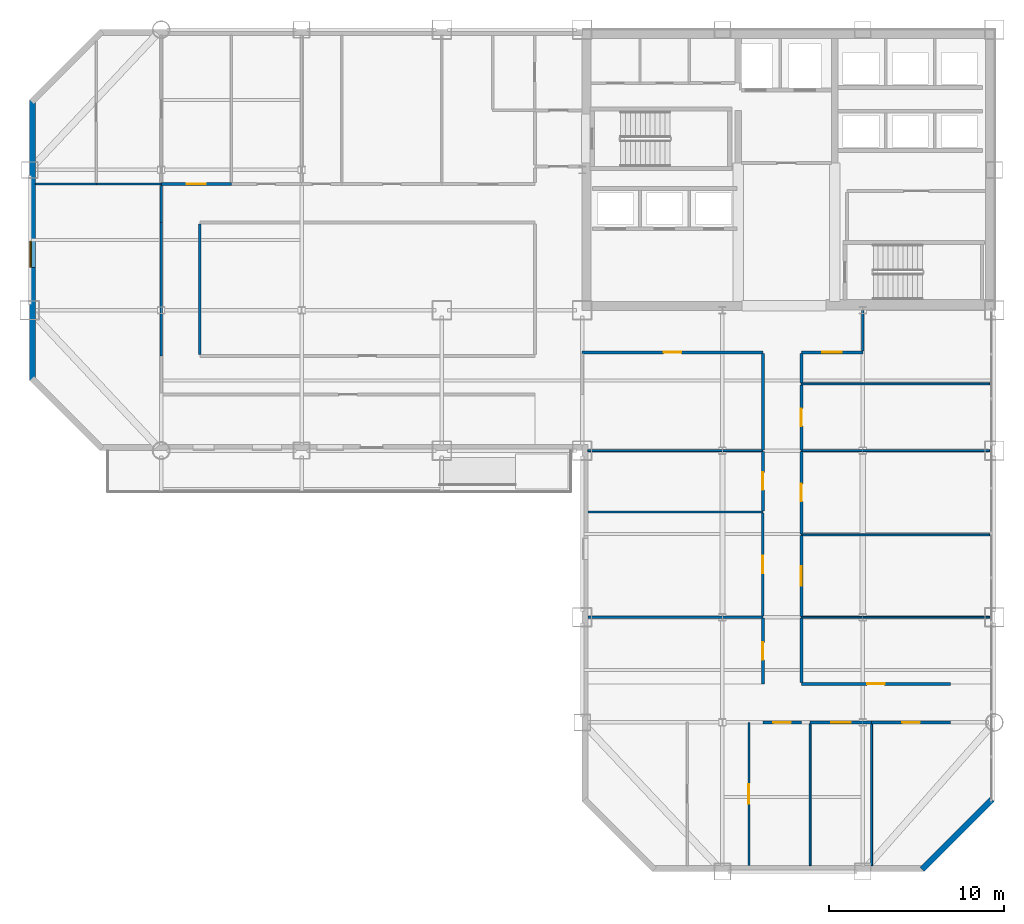
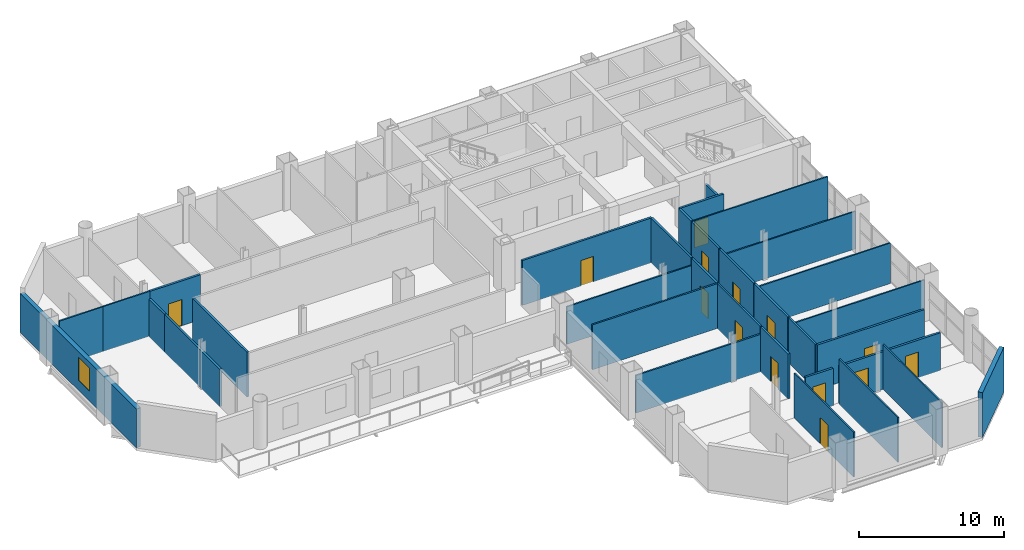
# One storey, part 12 of 16: 34 walls, 14 doors, 1 window, 15 openings.
"""IFC4 building model written with IfcOpenShell, lengths in metres."""

from ifc_helpers import new_model, si_unit, direction, frame, frame_2d, origin, place, context, subcontext, project, spatial, rectangle, extrude, material, layer, layer_set, type_object, element, fill, save


model = new_model("IFC4")

# Units and contexts
model_context = context("Model", 3, precision=1e-05, world=origin(), true_north=direction((0.0, 1.0)))
body_context = subcontext(model_context, "Body", "Model", "MODEL_VIEW")
ifc_project = project(units=[si_unit("LENGTHUNIT", "METRE"), si_unit("AREAUNIT", "SQUARE_METRE"), si_unit("VOLUMEUNIT", "CUBIC_METRE"), si_unit("PLANEANGLEUNIT", "RADIAN"), si_unit("MASSUNIT", "GRAM", prefix="KILO")], contexts=[model_context])

# Site, building, storey
site_placement = place(None, origin())
site = spatial("IfcSite", under=ifc_project, at=site_placement, CompositionType="ELEMENT")
building_placement = place(site_placement, origin())
building = spatial("IfcBuilding", under=site, at=building_placement, Name="Qianrong Seaharbour Tower", CompositionType="ELEMENT")
storey_placement = place(building_placement, frame((0.0, 0.0, 123.0)))
storey = spatial("IfcBuildingStorey", under=building, at=storey_placement, Name="L29", CompositionType="ELEMENT", Elevation=123.0)

# Wall
ifc_material_1 = material(Name="Fire-rated acoustic gypsum board partition")
ifc_layer_1 = layer(ifc_material_1, 0.1650390625)
ifc_layer_set_1 = layer_set([ifc_layer_1], Name="Fire-rated acoustic gypsum board partition")
wall_type_1 = type_object("IfcWallType", Name="WALL-CORR-PART-165", PredefinedType="PARTITIONING", material=ifc_layer_set_1)
wall_1_placement = place(storey_placement, frame((16.5, 41.0, 0.0), z_axis=(0.0, 0.0, 1.0), x_axis=(0.0, 1.0, 0.0)))
element("IfcWall", 1, at=wall_1_placement, inside=storey, type_object=wall_type_1, Name="L29 Interior Partition Wall 018", PredefinedType="PARTITIONING", context=body_context, shape_type="SweptSolid", body=[
    extrude(rectangle(XDim=2.12548828125, YDim=0.1650390625, at=frame_2d((1.062744140625, 0.0))), origin(), (0.0, 0.0, 1.0), 3.156982421875),
])

# Wall, opening, door
wall_2_placement = place(storey_placement, frame((16.5, 43.199951171875, 0.0), z_axis=(0.0, 0.0, 1.0), x_axis=(1.0, 0.0, 0.0)))
wall_2 = element("IfcWall", 2, at=wall_2_placement, inside=storey, type_object=wall_type_1, Name="L29 Interior Partition Wall 020", PredefinedType="PARTITIONING", context=body_context, shape_type="SweptSolid", body=[
    extrude(rectangle(XDim=4.0, YDim=0.1650390625, at=frame_2d((2.0, 0.0))), origin(), (0.0, 0.0, 1.0), 3.764892578125),
])
opening_1_placement = place(wall_2_placement, frame((1.449951171875, 0.0, 0.0)))
opening_1 = element("IfcOpeningElement", 3, at=opening_1_placement, cuts=wall_2, Name="Opening DM-01", PredefinedType="OPENING", context=body_context, shape_type="SweptSolid", body=[
    extrude(rectangle(XDim=1.10009765625, YDim=2.199951171875, at=frame_2d((0.550048828125, 1.10009765625))), frame((0.0, 0.092529296875, 0.0), z_axis=(0.0, -1.0, 0.0), x_axis=(1.0, 0.0, 0.0)), (0.0, 0.0, 1.0), 0.18505859375),
])
ifc_material_2 = material(Name="Acoustic timber and galvanized steel fire door assembly", Category="steel")
door_type_1 = type_object("IfcDoorType", Name="DOOR-MEET-1100x2200", OperationType="NOTDEFINED", PredefinedType="DOOR", material=ifc_material_2)
door_1_placement = place(opening_1_placement, origin())
door_1 = element("IfcDoor", 4, at=door_1_placement, inside=storey, type_object=door_type_1, Name="L29 Meeting Room 3 Door", OperationType="SINGLE_SWING_RIGHT", OverallHeight=2.199951171875, OverallWidth=1.10009765625, PredefinedType="DOOR", context=body_context, shape_type="SweptSolid", body=[
    extrude(rectangle(XDim=1.10009765625, YDim=2.199951171875, at=frame_2d((0.550048828125, 1.10009765625))), frame((0.0, 0.02490234375, 0.0), z_axis=(0.0, -1.0, 0.0), x_axis=(1.0, 0.0, 0.0)), (0.0, 0.0, 1.0), 0.050048828125),
])
fill(opening_1, door_1)

# Walls
wall_3_placement = place(storey_placement, frame((16.5, 33.39990234375, 0.0), z_axis=(0.0, 0.0, 1.0), x_axis=(0.0, 1.0, 0.0)))
element("IfcWall", 5, at=wall_3_placement, inside=storey, type_object=wall_type_1, Name="L29 Interior Partition Wall 025", PredefinedType="PARTITIONING", context=body_context, shape_type="SweptSolid", body=[
    extrude(rectangle(XDim=7.60009765625, YDim=0.1650390625, at=frame_2d((3.800048828125, 0.0))), origin(), (0.0, 0.0, 1.0), 3.156982421875),
])
wall_4_placement = place(storey_placement, frame((18.699951171875, 40.925537109375, 0.0), z_axis=(0.0, 0.0, 1.0), x_axis=(0.0, -1.0, 0.0)))
element("IfcWall", 6, at=wall_4_placement, inside=storey, type_object=wall_type_1, Name="L29 Interior Partition Wall 026", PredefinedType="PARTITIONING", context=body_context, shape_type="SweptSolid", body=[
    extrude(rectangle(XDim=7.450927734375, YDim=0.1650390625, at=frame_2d((3.7255859375, 0.0))), origin(), (0.0, 0.0, 1.0), 3.764892578125),
])
wall_5_placement = place(storey_placement, frame((56.5, 36.0, 0.0), z_axis=(0.0, 0.0, 1.0), x_axis=(0.0, -1.0, 0.0)))
element("IfcWall", 7, at=wall_5_placement, inside=storey, type_object=wall_type_1, Name="L29 Interior Partition Wall 030", PredefinedType="PARTITIONING", context=body_context, shape_type="SweptSolid", body=[
    extrude(rectangle(XDim=2.325439453125, YDim=0.1650390625, at=frame_2d((1.16259765625, 0.0))), origin(), (0.0, 0.0, 1.0), 3.156982421875),
])

# Wall, opening, door
wall_6_placement = place(storey_placement, frame((56.5, 33.60009765625, 0.0), z_axis=(0.0, 0.0, 1.0), x_axis=(-1.0, 0.0, 0.0)))
wall_6 = element("IfcWall", 8, at=wall_6_placement, inside=storey, type_object=wall_type_1, Name="L29 Interior Partition Wall 031", PredefinedType="PARTITIONING", context=body_context, shape_type="SweptSolid", body=[
    extrude(rectangle(XDim=3.5, YDim=0.1650390625, at=frame_2d((1.75, 0.0))), origin(), (0.0, 0.0, 1.0), 3.764892578125),
])
opening_2_placement = place(wall_6_placement, frame((1.199951171875, 0.0, 0.0)))
opening_2 = element("IfcOpeningElement", 9, at=opening_2_placement, cuts=wall_6, Name="Opening DM-01", PredefinedType="OPENING", context=body_context, shape_type="SweptSolid", body=[
    extrude(rectangle(XDim=1.10009765625, YDim=2.199951171875, at=frame_2d((0.550048828125, 1.10009765625))), frame((0.0, 0.092529296875, 0.0), z_axis=(0.0, -1.0, 0.0), x_axis=(1.0, 0.0, 0.0)), (0.0, 0.0, 1.0), 0.18505859375),
])
door_2_placement = place(opening_2_placement, origin())
door_2 = element("IfcDoor", 10, at=door_2_placement, inside=storey, type_object=door_type_1, Name="L29 Boardroom 5 Door", OperationType="SINGLE_SWING_LEFT", OverallHeight=2.199951171875, OverallWidth=1.10009765625, PredefinedType="DOOR", context=body_context, shape_type="SweptSolid", body=[
    extrude(rectangle(XDim=1.10009765625, YDim=2.199951171875, at=frame_2d((0.550048828125, 1.10009765625))), frame((0.0, 0.02490234375, 0.0), z_axis=(0.0, -1.0, 0.0), x_axis=(1.0, 0.0, 0.0)), (0.0, 0.0, 1.0), 0.050048828125),
])
fill(opening_2, door_2)

wall_7_placement = place(storey_placement, frame((50.800048828125, 33.60009765625, 0.0), z_axis=(0.0, 0.0, 1.0), x_axis=(-1.0, 0.0, 0.0)))
wall_7 = element("IfcWall", 11, at=wall_7_placement, inside=storey, type_object=wall_type_1, Name="L29 Interior Partition Wall 032", PredefinedType="PARTITIONING", context=body_context, shape_type="SweptSolid", body=[
    extrude(rectangle(XDim=10.300048828125, YDim=0.1650390625, at=frame_2d((5.14990234375, 0.0))), origin(), (0.0, 0.0, 1.0), 3.764892578125),
])
opening_3_placement = place(wall_7_placement, frame((4.64990234375, 0.0, 0.0)))
opening_3 = element("IfcOpeningElement", 12, at=opening_3_placement, cuts=wall_7, Name="Opening DO-01", PredefinedType="OPENING", context=body_context, shape_type="SweptSolid", body=[
    extrude(rectangle(XDim=1.0, YDim=2.14990234375, at=frame_2d((0.5, 1.074951171875))), frame((0.0, 0.092529296875, 0.0), z_axis=(0.0, -1.0, 0.0), x_axis=(1.0, 0.0, 0.0)), (0.0, 0.0, 1.0), 0.18505859375),
])
door_type_2 = type_object("IfcDoorType", Name="DOOR-OFFICE-1000x2150", OperationType="NOTDEFINED", PredefinedType="DOOR", material=ifc_material_2)
door_3_placement = place(opening_3_placement, origin())
door_3 = element("IfcDoor", 13, at=door_3_placement, inside=storey, type_object=door_type_2, Name="L29 Executive Office 4 Door", OperationType="SINGLE_SWING_LEFT", OverallHeight=2.14990234375, OverallWidth=1.0, PredefinedType="DOOR", context=body_context, shape_type="SweptSolid", body=[
    extrude(rectangle(XDim=1.0, YDim=2.14990234375, at=frame_2d((0.5, 1.074951171875))), frame((0.0, 0.02490234375, 0.0), z_axis=(0.0, -1.0, 0.0), x_axis=(1.0, 0.0, 0.0)), (0.0, 0.0, 1.0), 0.050048828125),
])
fill(opening_3, door_3)

# Wall
wall_8_placement = place(storey_placement, frame((53.0, 18.452880859375, 0.0), z_axis=(0.0, 0.0, 1.0), x_axis=(0.0, -1.0, 0.0)))
element("IfcWall", 14, at=wall_8_placement, inside=storey, type_object=wall_type_1, Name="L29 Interior Partition Wall 033", PredefinedType="PARTITIONING", context=body_context, shape_type="SweptSolid", body=[
    extrude(rectangle(XDim=3.678466796875, YDim=0.1650390625, at=frame_2d((1.83935546875, 0.0))), origin(), (0.0, 0.0, 1.0), 3.764892578125),
])

# Wall, opening, door
wall_9_placement = place(storey_placement, frame((53.0, 23.153076171875, 0.0), z_axis=(0.0, 0.0, 1.0), x_axis=(0.0, -1.0, 0.0)))
wall_9 = element("IfcWall", 15, at=wall_9_placement, inside=storey, type_object=wall_type_1, Name="L29 Interior Partition Wall 034", PredefinedType="PARTITIONING", context=body_context, shape_type="SweptSolid", body=[
    extrude(rectangle(XDim=4.60595703125, YDim=0.1650390625, at=frame_2d((2.302978515625, 0.0))), origin(), (0.0, 0.0, 1.0), 3.764892578125),
])
opening_4_placement = place(wall_9_placement, frame((1.7529296875, 0.0, 0.0)))
opening_4 = element("IfcOpeningElement", 16, at=opening_4_placement, cuts=wall_9, Name="Opening DM-01", PredefinedType="OPENING", context=body_context, shape_type="SweptSolid", body=[
    extrude(rectangle(XDim=1.10009765625, YDim=2.199951171875, at=frame_2d((0.550048828125, 1.10009765625))), frame((0.0, 0.092529296875, 0.0), z_axis=(0.0, -1.0, 0.0), x_axis=(1.0, 0.0, 0.0)), (0.0, 0.0, 1.0), 0.18505859375),
])
door_4_placement = place(opening_4_placement, origin())
door_4 = element("IfcDoor", 17, at=door_4_placement, inside=storey, type_object=door_type_1, Name="L29 Boardroom 2 Door", OperationType="SINGLE_SWING_RIGHT", OverallHeight=2.199951171875, OverallWidth=1.10009765625, PredefinedType="DOOR", context=body_context, shape_type="SweptSolid", body=[
    extrude(rectangle(XDim=1.10009765625, YDim=2.199951171875, at=frame_2d((0.550048828125, 1.10009765625))), frame((0.0, 0.02490234375, 0.0), z_axis=(0.0, -1.0, 0.0), x_axis=(1.0, 0.0, 0.0)), (0.0, 0.0, 1.0), 0.050048828125),
])
fill(opening_4, door_4)

wall_10_placement = place(storey_placement, frame((53.0, 27.952880859375, 0.0), z_axis=(0.0, 0.0, 1.0), x_axis=(0.0, -1.0, 0.0)))
wall_10 = element("IfcWall", 18, at=wall_10_placement, inside=storey, type_object=wall_type_1, Name="L29 Interior Partition Wall 035", PredefinedType="PARTITIONING", context=body_context, shape_type="SweptSolid", body=[
    extrude(rectangle(XDim=4.705810546875, YDim=0.1650390625, at=frame_2d((2.35302734375, 0.0))), origin(), (0.0, 0.0, 1.0), 3.764892578125),
])
opening_5_placement = place(wall_10_placement, frame((1.85302734375, 0.0, 0.0)))
opening_5 = element("IfcOpeningElement", 19, at=opening_5_placement, cuts=wall_10, Name="Opening DO-01", PredefinedType="OPENING", context=body_context, shape_type="SweptSolid", body=[
    extrude(rectangle(XDim=1.0, YDim=2.14990234375, at=frame_2d((0.5, 1.074951171875))), frame((0.0, 0.092529296875, 0.0), z_axis=(0.0, -1.0, 0.0), x_axis=(1.0, 0.0, 0.0)), (0.0, 0.0, 1.0), 0.18505859375),
])
door_5_placement = place(opening_5_placement, origin())
door_5 = element("IfcDoor", 20, at=door_5_placement, inside=storey, type_object=door_type_2, Name="L29 Focus Room 3 Door", OperationType="SINGLE_SWING_LEFT", OverallHeight=2.14990234375, OverallWidth=1.0, PredefinedType="DOOR", context=body_context, shape_type="SweptSolid", body=[
    extrude(rectangle(XDim=1.0, YDim=2.14990234375, at=frame_2d((0.5, 1.074951171875))), frame((0.0, 0.02490234375, 0.0), z_axis=(0.0, -1.0, 0.0), x_axis=(1.0, 0.0, 0.0)), (0.0, 0.0, 1.0), 0.050048828125),
])
fill(opening_5, door_5)

wall_11_placement = place(storey_placement, frame((53.0, 31.7529296875, 0.0), z_axis=(0.0, 0.0, 1.0), x_axis=(0.0, -1.0, 0.0)))
wall_11 = element("IfcWall", 21, at=wall_11_placement, inside=storey, type_object=wall_type_1, Name="L29 Interior Partition Wall 036", PredefinedType="PARTITIONING", context=body_context, shape_type="SweptSolid", body=[
    extrude(rectangle(XDim=3.705810546875, YDim=0.1650390625, at=frame_2d((1.85302734375, 0.0))), origin(), (0.0, 0.0, 1.0), 3.764892578125),
])
opening_6_placement = place(wall_11_placement, frame((1.35302734375, 0.0, 0.0)))
opening_6 = element("IfcOpeningElement", 22, at=opening_6_placement, cuts=wall_11, Name="Opening DO-01", PredefinedType="OPENING", context=body_context, shape_type="SweptSolid", body=[
    extrude(rectangle(XDim=1.0, YDim=2.14990234375, at=frame_2d((0.5, 1.074951171875))), frame((0.0, 0.092529296875, 0.0), z_axis=(0.0, -1.0, 0.0), x_axis=(1.0, 0.0, 0.0)), (0.0, 0.0, 1.0), 0.18505859375),
])
door_6_placement = place(opening_6_placement, origin())
door_6 = element("IfcDoor", 23, at=door_6_placement, inside=storey, type_object=door_type_2, Name="L29 Executive Office 4 Door", OperationType="SINGLE_SWING_RIGHT", OverallHeight=2.14990234375, OverallWidth=1.0, PredefinedType="DOOR", context=body_context, shape_type="SweptSolid", body=[
    extrude(rectangle(XDim=1.0, YDim=2.14990234375, at=frame_2d((0.5, 1.074951171875))), frame((0.0, 0.02490234375, 0.0), z_axis=(0.0, -1.0, 0.0), x_axis=(1.0, 0.0, 0.0)), (0.0, 0.0, 1.0), 0.050048828125),
])
fill(opening_6, door_6)

# Wall
wall_12_placement = place(storey_placement, frame((53.0, 33.525390625, 0.0), z_axis=(0.0, 0.0, 1.0), x_axis=(0.0, -1.0, 0.0)))
element("IfcWall", 24, at=wall_12_placement, inside=storey, type_object=wall_type_1, Name="L29 Interior Partition Wall 037", PredefinedType="PARTITIONING", context=body_context, shape_type="SweptSolid", body=[
    extrude(rectangle(XDim=1.678466796875, YDim=0.1650390625, at=frame_2d((0.83935546875, 0.0))), origin(), (0.0, 0.0, 1.0), 3.764892578125),
])

# Wall, opening, door
wall_13_placement = place(storey_placement, frame((50.800048828125, 14.699951171875, 0.0), z_axis=(0.0, 0.0, 1.0), x_axis=(0.0, 1.0, 0.0)))
wall_13 = element("IfcWall", 25, at=wall_13_placement, inside=storey, type_object=wall_type_1, Name="L29 Interior Partition Wall 038", PredefinedType="PARTITIONING", context=body_context, shape_type="SweptSolid", body=[
    extrude(rectangle(XDim=3.7431640625, YDim=0.1650390625, at=frame_2d((1.87158203125, 0.0))), origin(), (0.0, 0.0, 1.0), 3.764892578125),
])
opening_7_placement = place(wall_13_placement, frame((1.37158203125, 0.0, 0.0)))
opening_7 = element("IfcOpeningElement", 26, at=opening_7_placement, cuts=wall_13, Name="Opening DO-01", PredefinedType="OPENING", context=body_context, shape_type="SweptSolid", body=[
    extrude(rectangle(XDim=1.0, YDim=2.14990234375, at=frame_2d((0.5, 1.074951171875))), frame((0.0, 0.092529296875, 0.0), z_axis=(0.0, -1.0, 0.0), x_axis=(1.0, 0.0, 0.0)), (0.0, 0.0, 1.0), 0.18505859375),
])
door_7_placement = place(opening_7_placement, origin())
door_7 = element("IfcDoor", 27, at=door_7_placement, inside=storey, type_object=door_type_2, Name="L29 Executive Office 1 Door", OperationType="SINGLE_SWING_RIGHT", OverallHeight=2.14990234375, OverallWidth=1.0, PredefinedType="DOOR", context=body_context, shape_type="SweptSolid", body=[
    extrude(rectangle(XDim=1.0, YDim=2.14990234375, at=frame_2d((0.5, 1.074951171875))), frame((0.0, 0.02490234375, 0.0), z_axis=(0.0, -1.0, 0.0), x_axis=(1.0, 0.0, 0.0)), (0.0, 0.0, 1.0), 0.050048828125),
])
fill(opening_7, door_7)

wall_14_placement = place(storey_placement, frame((50.800048828125, 24.556884765625, 0.0), z_axis=(0.0, 0.0, 1.0), x_axis=(0.0, 1.0, 0.0)))
wall_14 = element("IfcWall", 28, at=wall_14_placement, inside=storey, type_object=wall_type_1, Name="L29 Interior Partition Wall 040", PredefinedType="PARTITIONING", context=body_context, shape_type="SweptSolid", body=[
    extrude(rectangle(XDim=3.39599609375, YDim=0.1650390625, at=frame_2d((1.697998046875, 0.0))), origin(), (0.0, 0.0, 1.0), 3.764892578125),
])
opening_8_placement = place(wall_14_placement, frame((1.197998046875, 0.0, 0.0)))
opening_8 = element("IfcOpeningElement", 29, at=opening_8_placement, cuts=wall_14, Name="Opening DO-01", PredefinedType="OPENING", context=body_context, shape_type="SweptSolid", body=[
    extrude(rectangle(XDim=1.0, YDim=2.14990234375, at=frame_2d((0.5, 1.074951171875))), frame((0.0, 0.092529296875, 0.0), z_axis=(0.0, -1.0, 0.0), x_axis=(1.0, 0.0, 0.0)), (0.0, 0.0, 1.0), 0.18505859375),
])
door_8_placement = place(opening_8_placement, origin())
door_8 = element("IfcDoor", 30, at=door_8_placement, inside=storey, type_object=door_type_2, Name="L29 Focus Room 3 Door", OperationType="SINGLE_SWING_RIGHT", OverallHeight=2.14990234375, OverallWidth=1.0, PredefinedType="DOOR", context=body_context, shape_type="SweptSolid", body=[
    extrude(rectangle(XDim=1.0, YDim=2.14990234375, at=frame_2d((0.5, 1.074951171875))), frame((0.0, 0.02490234375, 0.0), z_axis=(0.0, -1.0, 0.0), x_axis=(1.0, 0.0, 0.0)), (0.0, 0.0, 1.0), 0.050048828125),
])
fill(opening_8, door_8)

# Wall
wall_15_placement = place(storey_placement, frame((50.800048828125, 28.047119140625, 0.0), z_axis=(0.0, 0.0, 1.0), x_axis=(0.0, 1.0, 0.0)))
element("IfcWall", 31, at=wall_15_placement, inside=storey, type_object=wall_type_1, Name="L29 Interior Partition Wall 041", PredefinedType="PARTITIONING", context=body_context, shape_type="SweptSolid", body=[
    extrude(rectangle(XDim=5.478271484375, YDim=0.1650390625, at=frame_2d((2.7392578125, 0.0))), origin(), (0.0, 0.0, 1.0), 3.764892578125),
])

# Wall, opening, door
wall_16_placement = place(storey_placement, frame((53.0, 12.5, 0.0), z_axis=(0.0, 0.0, 1.0), x_axis=(-1.0, 0.0, 0.0)))
wall_16 = element("IfcWall", 32, at=wall_16_placement, inside=storey, type_object=wall_type_1, Name="L29 Interior Partition Wall 042", PredefinedType="PARTITIONING", context=body_context, shape_type="SweptSolid", body=[
    extrude(rectangle(XDim=2.199951171875, YDim=0.1650390625, at=frame_2d((1.10009765625, 0.0))), origin(), (0.0, 0.0, 1.0), 3.156982421875),
])
opening_9_placement = place(wall_16_placement, frame((0.60009765625, 0.0, 0.0)))
opening_9 = element("IfcOpeningElement", 33, at=opening_9_placement, cuts=wall_16, Name="Opening DO-01", PredefinedType="OPENING", context=body_context, shape_type="SweptSolid", body=[
    extrude(rectangle(XDim=1.0, YDim=2.14990234375, at=frame_2d((0.5, 1.074951171875))), frame((0.0, 0.092529296875, 0.0), z_axis=(0.0, -1.0, 0.0), x_axis=(1.0, 0.0, 0.0)), (0.0, 0.0, 1.0), 0.18505859375),
])
door_9_placement = place(opening_9_placement, origin())
door_9 = element("IfcDoor", 34, at=door_9_placement, inside=storey, type_object=door_type_2, Name="L29 Executive Office 3 Door", OperationType="SINGLE_SWING_RIGHT", OverallHeight=2.14990234375, OverallWidth=1.0, PredefinedType="DOOR", context=body_context, shape_type="SweptSolid", body=[
    extrude(rectangle(XDim=1.0, YDim=2.14990234375, at=frame_2d((0.5, 1.074951171875))), frame((0.0, 0.02490234375, 0.0), z_axis=(0.0, -1.0, 0.0), x_axis=(1.0, 0.0, 0.0)), (0.0, 0.0, 1.0), 0.050048828125),
])
fill(opening_9, door_9)

wall_17_placement = place(storey_placement, frame((53.0, 14.699951171875, 0.0), z_axis=(0.0, 0.0, 1.0), x_axis=(1.0, 0.0, 0.0)))
wall_17 = element("IfcWall", 35, at=wall_17_placement, inside=storey, type_object=wall_type_1, Name="L29 Interior Partition Wall 043", PredefinedType="PARTITIONING", context=body_context, shape_type="SweptSolid", body=[
    extrude(rectangle(XDim=8.5, YDim=0.1650390625, at=frame_2d((4.25, 0.0))), origin(), (0.0, 0.0, 1.0), 3.764892578125),
])
opening_10_placement = place(wall_17_placement, frame((3.75, 0.0, 0.0)))
opening_10 = element("IfcOpeningElement", 36, at=opening_10_placement, cuts=wall_17, Name="Opening DO-01", PredefinedType="OPENING", context=body_context, shape_type="SweptSolid", body=[
    extrude(rectangle(XDim=1.0, YDim=2.14990234375, at=frame_2d((0.5, 1.074951171875))), frame((0.0, 0.092529296875, 0.0), z_axis=(0.0, -1.0, 0.0), x_axis=(1.0, 0.0, 0.0)), (0.0, 0.0, 1.0), 0.18505859375),
])
door_10_placement = place(opening_10_placement, origin())
door_10 = element("IfcDoor", 37, at=door_10_placement, inside=storey, type_object=door_type_2, Name="L29 Executive Office 1 Door", OperationType="SINGLE_SWING_LEFT", OverallHeight=2.14990234375, OverallWidth=1.0, PredefinedType="DOOR", context=body_context, shape_type="SweptSolid", body=[
    extrude(rectangle(XDim=1.0, YDim=2.14990234375, at=frame_2d((0.5, 1.074951171875))), frame((0.0, 0.02490234375, 0.0), z_axis=(0.0, -1.0, 0.0), x_axis=(1.0, 0.0, 0.0)), (0.0, 0.0, 1.0), 0.050048828125),
])
fill(opening_10, door_10)

wall_18_placement = place(storey_placement, frame((57.0, 12.5, 0.0), z_axis=(0.0, 0.0, 1.0), x_axis=(-1.0, 0.0, 0.0)))
wall_18 = element("IfcWall", 38, at=wall_18_placement, inside=storey, type_object=wall_type_1, Name="L29 Interior Partition Wall 044", PredefinedType="PARTITIONING", context=body_context, shape_type="SweptSolid", body=[
    extrude(rectangle(XDim=3.5, YDim=0.1650390625, at=frame_2d((1.75, 0.0))), origin(), (0.0, 0.0, 1.0), 3.156982421875),
])
opening_11_placement = place(wall_18_placement, frame((1.199951171875, 0.0, 0.0)))
opening_11 = element("IfcOpeningElement", 39, at=opening_11_placement, cuts=wall_18, Name="Opening DM-01", PredefinedType="OPENING", context=body_context, shape_type="SweptSolid", body=[
    extrude(rectangle(XDim=1.10009765625, YDim=2.199951171875, at=frame_2d((0.550048828125, 1.10009765625))), frame((0.0, 0.092529296875, 0.0), z_axis=(0.0, -1.0, 0.0), x_axis=(1.0, 0.0, 0.0)), (0.0, 0.0, 1.0), 0.18505859375),
])
door_11_placement = place(opening_11_placement, origin())
door_11 = element("IfcDoor", 40, at=door_11_placement, inside=storey, type_object=door_type_1, Name="L29 Meeting Room 4 Door", OperationType="SINGLE_SWING_LEFT", OverallHeight=2.199951171875, OverallWidth=1.10009765625, PredefinedType="DOOR", context=body_context, shape_type="SweptSolid", body=[
    extrude(rectangle(XDim=1.10009765625, YDim=2.199951171875, at=frame_2d((0.550048828125, 1.10009765625))), frame((0.0, 0.02490234375, 0.0), z_axis=(0.0, -1.0, 0.0), x_axis=(1.0, 0.0, 0.0)), (0.0, 0.0, 1.0), 0.050048828125),
])
fill(opening_11, door_11)

wall_19_placement = place(storey_placement, frame((61.5, 12.5, 0.0), z_axis=(0.0, 0.0, 1.0), x_axis=(-1.0, 0.0, 0.0)))
wall_19 = element("IfcWall", 41, at=wall_19_placement, inside=storey, type_object=wall_type_1, Name="L29 Interior Partition Wall 045", PredefinedType="PARTITIONING", context=body_context, shape_type="SweptSolid", body=[
    extrude(rectangle(XDim=4.5, YDim=0.1650390625, at=frame_2d((2.25, 0.0))), origin(), (0.0, 0.0, 1.0), 3.156982421875),
])
opening_12_placement = place(wall_19_placement, frame((1.75, 0.0, 0.0)))
opening_12 = element("IfcOpeningElement", 42, at=opening_12_placement, cuts=wall_19, Name="Opening DO-01", PredefinedType="OPENING", context=body_context, shape_type="SweptSolid", body=[
    extrude(rectangle(XDim=1.0, YDim=2.14990234375, at=frame_2d((0.5, 1.074951171875))), frame((0.0, 0.092529296875, 0.0), z_axis=(0.0, -1.0, 0.0), x_axis=(1.0, 0.0, 0.0)), (0.0, 0.0, 1.0), 0.18505859375),
])
door_12_placement = place(opening_12_placement, origin())
door_12 = element("IfcDoor", 43, at=door_12_placement, inside=storey, type_object=door_type_2, Name="L29 Executive Office 5 Door", OperationType="SINGLE_SWING_RIGHT", OverallHeight=2.14990234375, OverallWidth=1.0, PredefinedType="DOOR", context=body_context, shape_type="SweptSolid", body=[
    extrude(rectangle(XDim=1.0, YDim=2.14990234375, at=frame_2d((0.5, 1.074951171875))), frame((0.0, 0.02490234375, 0.0), z_axis=(0.0, -1.0, 0.0), x_axis=(1.0, 0.0, 0.0)), (0.0, 0.0, 1.0), 0.050048828125),
])
fill(opening_12, door_12)

# Walls
ifc_material_3 = material(Name="Demountable aluminium-framed acoustic office partition", Category="aluminium")
ifc_layer_2 = layer(ifc_material_3, 0.110107421875)
ifc_layer_set_2 = layer_set([ifc_layer_2], Name="Demountable aluminium-framed acoustic office partition")
wall_type_2 = type_object("IfcWallType", Name="WALL-DEMOUNT-110", PredefinedType="MOVABLE", material=ifc_layer_set_2)
wall_20_placement = place(storey_placement, frame((9.33203125, 43.199951171875, 0.0), z_axis=(0.0, 0.0, 1.0), x_axis=(1.0, 0.0, 0.0)))
element("IfcWall", 44, at=wall_20_placement, inside=storey, type_object=wall_type_2, Name="L29 Interior Partition Wall 046", PredefinedType="MOVABLE", context=body_context, shape_type="SweptSolid", body=[
    extrude(rectangle(XDim=3.468017578125, YDim=0.110107421875, at=frame_2d((1.73388671875, 0.0))), origin(), (0.0, 0.0, 1.0), 3.764892578125),
])
wall_21_placement = place(storey_placement, frame((12.800048828125, 43.199951171875, 0.0), z_axis=(0.0, 0.0, 1.0), x_axis=(1.0, 0.0, 0.0)))
element("IfcWall", 45, at=wall_21_placement, inside=storey, type_object=wall_type_2, Name="L29 Interior Partition Wall 047", PredefinedType="MOVABLE", context=body_context, shape_type="SweptSolid", body=[
    extrude(rectangle(XDim=3.699951171875, YDim=0.110107421875, at=frame_2d((1.85009765625, 0.0))), origin(), (0.0, 0.0, 1.0), 3.764892578125),
])
wall_22_placement = place(storey_placement, frame((53.0, 18.5, 0.0), z_axis=(0.0, 0.0, 1.0), x_axis=(1.0, 0.0, 0.0)))
element("IfcWall", 46, at=wall_22_placement, inside=storey, type_object=wall_type_2, Name="L29 Interior Partition Wall 054", PredefinedType="MOVABLE", context=body_context, shape_type="SweptSolid", body=[
    extrude(rectangle(XDim=10.72802734375, YDim=0.110107421875, at=frame_2d((5.364013671875, 0.0))), origin(), (0.0, 0.0, 1.0), 3.156982421875),
])
wall_23_placement = place(storey_placement, frame((53.0, 23.199951171875, 0.0), z_axis=(0.0, 0.0, 1.0), x_axis=(1.0, 0.0, 0.0)))
element("IfcWall", 47, at=wall_23_placement, inside=storey, type_object=wall_type_2, Name="L29 Interior Partition Wall 055", PredefinedType="MOVABLE", context=body_context, shape_type="SweptSolid", body=[
    extrude(rectangle(XDim=10.72802734375, YDim=0.110107421875, at=frame_2d((5.364013671875, 0.0))), origin(), (0.0, 0.0, 1.0), 3.406982421875),
])
wall_24_placement = place(storey_placement, frame((53.0, 28.0, 0.0), z_axis=(0.0, 0.0, 1.0), x_axis=(1.0, 0.0, 0.0)))
element("IfcWall", 48, at=wall_24_placement, inside=storey, type_object=wall_type_2, Name="L29 Interior Partition Wall 056", PredefinedType="MOVABLE", context=body_context, shape_type="SweptSolid", body=[
    extrude(rectangle(XDim=10.72802734375, YDim=0.110107421875, at=frame_2d((5.364013671875, 0.0))), origin(), (0.0, 0.0, 1.0), 3.156982421875),
])
wall_25_placement = place(storey_placement, frame((53.0, 31.800048828125, 0.0), z_axis=(0.0, 0.0, 1.0), x_axis=(1.0, 0.0, 0.0)))
element("IfcWall", 49, at=wall_25_placement, inside=storey, type_object=wall_type_2, Name="L29 Interior Partition Wall 057", PredefinedType="MOVABLE", context=body_context, shape_type="SweptSolid", body=[
    extrude(rectangle(XDim=10.72802734375, YDim=0.110107421875, at=frame_2d((5.364013671875, 0.0))), origin(), (0.0, 0.0, 1.0), 3.764892578125),
])
wall_26_placement = place(storey_placement, frame((40.83203125, 28.0, 0.0), z_axis=(0.0, 0.0, 1.0), x_axis=(1.0, 0.0, 0.0)))
element("IfcWall", 50, at=wall_26_placement, inside=storey, type_object=wall_type_2, Name="L29 Interior Partition Wall 060", PredefinedType="MOVABLE", context=body_context, shape_type="SweptSolid", body=[
    extrude(rectangle(XDim=9.968017578125, YDim=0.110107421875, at=frame_2d((4.98388671875, 0.0))), origin(), (0.0, 0.0, 1.0), 3.156982421875),
])

# Wall, opening, door
wall_27_placement = place(storey_placement, frame((50.0, 12.5, 0.0), z_axis=(0.0, 0.0, 1.0), x_axis=(0.0, -1.0, 0.0)))
wall_27 = element("IfcWall", 51, at=wall_27_placement, inside=storey, type_object=wall_type_2, Name="L29 Interior Partition Wall 062", PredefinedType="MOVABLE", context=body_context, shape_type="SweptSolid", body=[
    extrude(rectangle(XDim=8.16796875, YDim=0.110107421875, at=frame_2d((4.083984375, 0.0))), origin(), (0.0, 0.0, 1.0), 3.764892578125),
])
opening_13_placement = place(wall_27_placement, frame((3.533935546875, 0.0, 0.0)))
opening_13 = element("IfcOpeningElement", 52, at=opening_13_placement, cuts=wall_27, Name="Opening DM-01", PredefinedType="OPENING", context=body_context, shape_type="SweptSolid", body=[
    extrude(rectangle(XDim=1.10009765625, YDim=2.199951171875, at=frame_2d((0.550048828125, 1.10009765625))), frame((0.0, 0.06494140625, 0.0), z_axis=(0.0, -1.0, 0.0), x_axis=(1.0, 0.0, 0.0)), (0.0, 0.0, 1.0), 0.130126953125),
])
door_13_placement = place(opening_13_placement, origin())
door_13 = element("IfcDoor", 53, at=door_13_placement, inside=storey, type_object=door_type_1, Name="L29 Meeting Room 2 Door", OperationType="SINGLE_SWING_LEFT", OverallHeight=2.199951171875, OverallWidth=1.10009765625, PredefinedType="DOOR", context=body_context, shape_type="SweptSolid", body=[
    extrude(rectangle(XDim=1.10009765625, YDim=2.199951171875, at=frame_2d((0.550048828125, 1.10009765625))), frame((0.0, 0.02490234375, 0.0), z_axis=(0.0, -1.0, 0.0), x_axis=(1.0, 0.0, 0.0)), (0.0, 0.0, 1.0), 0.050048828125),
])
fill(opening_13, door_13)

# Walls
for number, where, z_axis, x_axis, name in (
    (54, (53.5, 12.425537109375, 0.0), (0.0, 0.0, 1.0), (0.0, -1.0, 0.0), "L29 Interior Partition Wall 063"),
    (55, (57.0, 12.425537109375, 0.0), (0.0, 0.0, 1.0), (0.0, -1.0, 0.0), "L29 Interior Partition Wall 064"),
):
    element("IfcWall", number, at=place(storey_placement, frame(where, z_axis=z_axis, x_axis=x_axis)), inside=storey, type_object=wall_type_2, Name=name, PredefinedType="MOVABLE", context=body_context, shape_type="SweptSolid", body=[
        extrude(rectangle(XDim=8.093505859375, YDim=0.110107421875, at=frame_2d((4.046875, 0.0))), origin(), (0.0, 0.0, 1.0), 3.764892578125),
    ])

# Wall, opening, window
ifc_material_4 = material(Name="Unitised buff brick on Precast concrete C45/55", Category="masonry")
ifc_layer_3 = layer(ifc_material_4, 0.340087890625)
ifc_layer_set_3 = layer_set([ifc_layer_3], Name="Unitised buff brick on Precast concrete C45/55")
wall_type_3 = type_object("IfcWallType", Name="WALL-EXT-BRICK-BUFF-340", PredefinedType="SOLIDWALL", material=ifc_layer_set_3)
wall_28_placement = place(storey_placement, frame((9.169921875, 32.0, 0.0), z_axis=(0.0, 0.0, 1.0), x_axis=(0.0, 1.0, 0.0)))
wall_28 = element("IfcWall", 56, at=wall_28_placement, inside=storey, type_object=wall_type_3, Name="L29 Exterior Masonry Facade Wall WEST_TIP", PredefinedType="SOLIDWALL", context=body_context, shape_type="SweptSolid", body=[
    extrude(rectangle(XDim=16.0, YDim=0.340087890625, at=frame_2d((8.0, 0.0))), origin(), (0.0, 0.0, 1.0), 3.264892578125),
])
opening_14_placement = place(wall_28_placement, frame((6.449951171875, 0.0, 0.85009765625)))
opening_14 = element("IfcOpeningElement", 57, at=opening_14_placement, cuts=wall_28, Name="Opening WN-03", PredefinedType="OPENING", context=body_context, shape_type="SweptSolid", body=[
    extrude(rectangle(XDim=1.5, YDim=1.949951171875, at=frame_2d((0.75, 0.97509765625))), frame((0.0, 0.18017578125, 0.0), z_axis=(0.0, -1.0, 0.0), x_axis=(1.0, 0.0, 0.0)), (0.0, 0.0, 1.0), 0.360107421875),
])
ifc_material_5 = material(Name="Insulated low-e double glazing in thermally broken aluminium 6063-T6 frame", Category="aluminium")
window_type = type_object("IfcWindowType", Name="WIN-PUNCH-1500x1950", PartitioningType="DOUBLE_PANEL_VERTICAL", PredefinedType="WINDOW", material=ifc_material_5)
window_placement = place(opening_14_placement, origin())
window = element("IfcWindow", 58, at=window_placement, inside=storey, type_object=window_type, Name="L29 Deep-Set Punched Window 03.02", OverallHeight=1.949951171875, OverallWidth=1.5, PartitioningType="DOUBLE_PANEL_VERTICAL", PredefinedType="WINDOW", context=body_context, shape_type="SweptSolid", body=[
    extrude(rectangle(XDim=1.5, YDim=1.949951171875, at=frame_2d((0.75, 0.97509765625))), frame((0.0, 0.150146484375, 0.0), z_axis=(0.0, -1.0, 0.0), x_axis=(1.0, 0.0, 0.0)), (0.0, 0.0, 1.0), 0.06005859375),
])
fill(opening_14, window)

# Wall
wall_29_placement = place(storey_placement, frame((63.8798828125, 8.1201171875, 0.0), z_axis=(0.0, 0.0, 1.0), x_axis=(-0.707106781187, -0.707106781187, 0.0)))
element("IfcWall", 59, at=wall_29_placement, inside=storey, type_object=wall_type_3, Name="L29 Exterior Masonry Facade Wall E07", PredefinedType="SOLIDWALL", context=body_context, shape_type="SweptSolid", body=[
    extrude(rectangle(XDim=5.65673828125, YDim=0.340087890625, at=frame_2d((2.828369140625, 0.0))), origin(), (0.0, 0.0, 1.0), 3.764892578125),
])

# Wall, opening, door
ifc_material_6 = material(Name="Water-resistant cement board sanitary partition")
ifc_layer_4 = layer(ifc_material_6, 0.1298828125)
ifc_layer_set_4 = layer_set([ifc_layer_4], Name="Water-resistant cement board sanitary partition")
wall_type_4 = type_object("IfcWallType", Name="WALL-WET-PART-130", PredefinedType="PARTITIONING", material=ifc_layer_set_4)
wall_30_placement = place(storey_placement, frame((50.800048828125, 18.556884765625, 0.0), z_axis=(0.0, 0.0, 1.0), x_axis=(0.0, 1.0, 0.0)))
wall_30 = element("IfcWall", 60, at=wall_30_placement, inside=storey, type_object=wall_type_4, Name="L29 Interior Partition Wall 039", PredefinedType="PARTITIONING", context=body_context, shape_type="SweptSolid", body=[
    extrude(rectangle(XDim=5.88623046875, YDim=0.1298828125, at=frame_2d((2.943115234375, 0.0))), origin(), (0.0, 0.0, 1.0), 3.764892578125),
])
opening_15_placement = place(wall_30_placement, frame((2.443115234375, 0.0, 0.0)))
opening_15 = element("IfcOpeningElement", 61, at=opening_15_placement, cuts=wall_30, Name="Opening DO-01", PredefinedType="OPENING", context=body_context, shape_type="SweptSolid", body=[
    extrude(rectangle(XDim=1.0, YDim=2.14990234375, at=frame_2d((0.5, 1.074951171875))), frame((0.0, 0.074951171875, 0.0), z_axis=(0.0, -1.0, 0.0), x_axis=(1.0, 0.0, 0.0)), (0.0, 0.0, 1.0), 0.14990234375),
])
door_14_placement = place(opening_15_placement, origin())
door_14 = element("IfcDoor", 62, at=door_14_placement, inside=storey, type_object=door_type_2, Name="L29 Wet Pantry 2 Door", OperationType="SINGLE_SWING_LEFT", OverallHeight=2.14990234375, OverallWidth=1.0, PredefinedType="DOOR", context=body_context, shape_type="SweptSolid", body=[
    extrude(rectangle(XDim=1.0, YDim=2.14990234375, at=frame_2d((0.5, 1.074951171875))), frame((0.0, 0.02490234375, 0.0), z_axis=(0.0, -1.0, 0.0), x_axis=(1.0, 0.0, 0.0)), (0.0, 0.0, 1.0), 0.050048828125),
])
fill(opening_15, door_14)

# Walls
wall_31_placement = place(storey_placement, frame((40.83203125, 18.5, 0.0), z_axis=(0.0, 0.0, 1.0), x_axis=(1.0, 0.0, 0.0)))
element("IfcWall", 63, at=wall_31_placement, inside=storey, type_object=wall_type_4, Name="L29 Interior Partition Wall 058", PredefinedType="PARTITIONING", context=body_context, shape_type="SweptSolid", body=[
    extrude(rectangle(XDim=9.968017578125, YDim=0.1298828125, at=frame_2d((4.98388671875, 0.0))), origin(), (0.0, 0.0, 1.0), 3.156982421875),
])
wall_32_placement = place(storey_placement, frame((40.83203125, 24.5, 0.0), z_axis=(0.0, 0.0, 1.0), x_axis=(1.0, 0.0, 0.0)))
element("IfcWall", 64, at=wall_32_placement, inside=storey, type_object=wall_type_4, Name="L29 Interior Partition Wall 059", PredefinedType="PARTITIONING", context=body_context, shape_type="SweptSolid", body=[
    extrude(rectangle(XDim=9.968017578125, YDim=0.1298828125, at=frame_2d((4.98388671875, 0.0))), origin(), (0.0, 0.0, 1.0), 3.764892578125),
])

save(model, "model.ifc")
